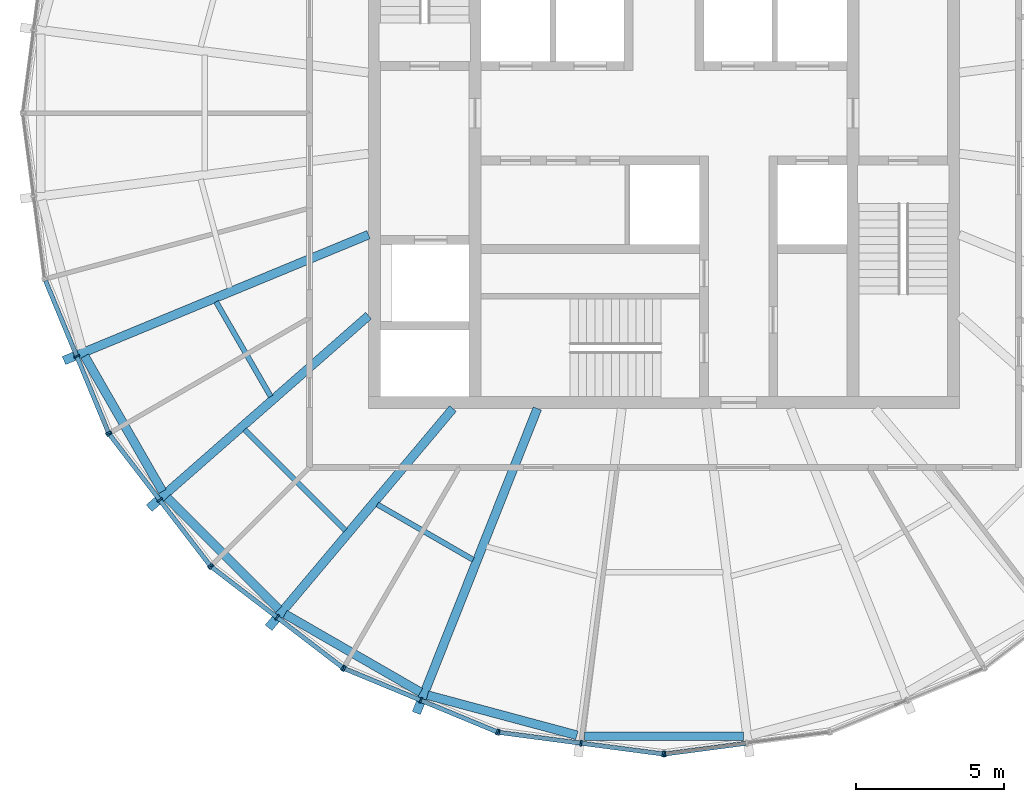
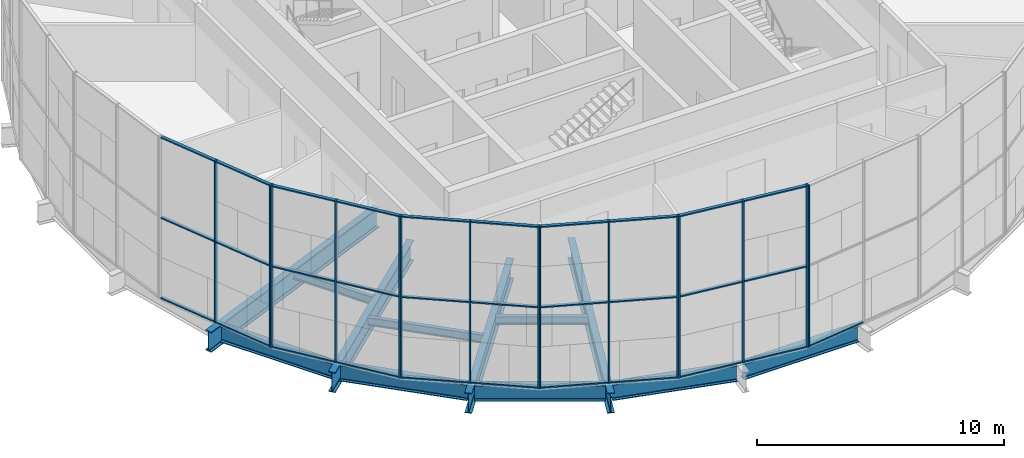
# One storey, part 1 of 18: 46 members, 12 beams, 6 elements without a shape of their own.
"""IFC4 building model written with IfcOpenShell, lengths in metres."""

from ifc_helpers import new_model, si_unit, direction, frame, origin, origin_2d, place, context, subcontext, project, spatial, rectangle, i_section, extrude, material, material_profile, profile_set, type_object, element, aggregate, save


model = new_model("IFC4")

# Units and contexts
model_context = context("Model", 3, precision=1e-05, world=origin(), true_north=direction((0.0, 1.0)))
body_context = subcontext(model_context, "Body", "Model", "MODEL_VIEW")
ifc_project = project(units=[si_unit("LENGTHUNIT", "METRE"), si_unit("AREAUNIT", "SQUARE_METRE"), si_unit("VOLUMEUNIT", "CUBIC_METRE"), si_unit("PLANEANGLEUNIT", "RADIAN"), si_unit("MASSUNIT", "GRAM", prefix="KILO")], contexts=[model_context])

# Site, building, storey
site_placement = place(None, origin())
site = spatial("IfcSite", under=ifc_project, at=site_placement, CompositionType="ELEMENT")
building_placement = place(site_placement, origin())
building = spatial("IfcBuilding", under=site, at=building_placement, Name="Golbaran Civic Tower", CompositionType="ELEMENT")
storey_placement = place(building_placement, frame((0.0, 0.0, 272.0)))
storey = spatial("IfcBuildingStorey", under=building, at=storey_placement, Name="L66", CompositionType="ELEMENT", Elevation=272.0)

# Beams
ifc_material_1 = material(Name="Steel S355", Category="steel")
ifc_material_profile_1 = material_profile(ifc_material_1, i_section(OverallWidth=0.300048828125, OverallDepth=0.800048828125, WebThickness=0.017578125, FlangeThickness=0.032958984375, FilletRadius=0.030029296875, at=origin_2d()), Name="HEB 800")
ifc_profile_set_1 = profile_set([ifc_material_profile_1], Name="Steel S355")
beam_type_1 = type_object("IfcBeamType", Name="EDGE BEAM HEB 800", PredefinedType="BEAM", material=ifc_profile_set_1)
beam_1_placement = place(storey_placement, frame((-19.61083984375, -8.226806640625, -0.60009765625), z_axis=(0.498381695671, -0.866957718358, 0.0), x_axis=(0.866957718358, 0.498381695671, 0.0)))
element("IfcBeam", 1, at=beam_1_placement, inside=storey, type_object=beam_type_1, Name="Edge beam 202.41 L66", PredefinedType="BEAM", context=body_context, shape_type="SweptSolid", body=[
    extrude(i_section(OverallWidth=0.300048828125, OverallDepth=0.800048828125, WebThickness=0.017578125, FlangeThickness=0.032958984375, FilletRadius=0.030029296875, at=origin_2d()), origin(), (0.0, 0.0, 1.0), 5.283203125),
])
beam_2_placement = place(storey_placement, frame((-16.819580078125, -13.01416015625, -0.60009765625), z_axis=(0.70669645465, -0.707516869753, 0.0), x_axis=(0.707516869753, 0.70669645465, 0.0)))
element("IfcBeam", 2, at=beam_2_placement, inside=storey, type_object=beam_type_1, Name="Edge beam 217.59 L66", PredefinedType="BEAM", context=body_context, shape_type="SweptSolid", body=[
    extrude(i_section(OverallWidth=0.300048828125, OverallDepth=0.800048828125, WebThickness=0.017578125, FlangeThickness=0.032958984375, FilletRadius=0.030029296875, at=origin_2d()), origin(), (0.0, 0.0, 1.0), 5.3564453125),
])
beam_3_placement = place(storey_placement, frame((-12.82763671875, -16.962158203125, -0.60009765625), z_axis=(0.866440450547, -0.499280427871, 0.0), x_axis=(0.499280427871, 0.866440450547, 0.0)))
element("IfcBeam", 3, at=beam_3_placement, inside=storey, type_object=beam_type_1, Name="Edge beam 232.41 L66", PredefinedType="BEAM", context=body_context, shape_type="SweptSolid", body=[
    extrude(i_section(OverallWidth=0.300048828125, OverallDepth=0.800048828125, WebThickness=0.017578125, FlangeThickness=0.032958984375, FilletRadius=0.030029296875, at=origin_2d()), origin(), (0.0, 0.0, 1.0), 5.292236328125),
])
beam_4_placement = place(storey_placement, frame((-8.001953125, -19.7041015625, -0.60009765625), z_axis=(0.965775895826, -0.259377946329, 0.0), x_axis=(0.259377946329, 0.965775895826, 0.0)))
element("IfcBeam", 4, at=beam_4_placement, inside=storey, type_object=beam_type_1, Name="Edge beam 247.59 L66", PredefinedType="BEAM", context=body_context, shape_type="SweptSolid", body=[
    extrude(i_section(OverallWidth=0.300048828125, OverallDepth=0.800048828125, WebThickness=0.017578125, FlangeThickness=0.032958984375, FilletRadius=0.030029296875, at=origin_2d()), origin(), (0.0, 0.0, 1.0), 5.234375),
])
beam_5_placement = place(storey_placement, frame((-2.68896484375, -21.095703125, -0.60009765625), z_axis=(1.0, 0.0, 0.0), x_axis=(0.0, 1.0, 0.0)))
element("IfcBeam", 5, at=beam_5_placement, inside=storey, type_object=beam_type_1, Name="Edge beam 262.41 L66", PredefinedType="BEAM", context=body_context, shape_type="SweptSolid", body=[
    extrude(i_section(OverallWidth=0.300048828125, OverallDepth=0.800048828125, WebThickness=0.017578125, FlangeThickness=0.032958984375, FilletRadius=0.030029296875, at=origin_2d()), origin(), (0.0, 0.0, 1.0), 5.3779296875),
])
ifc_material_profile_2 = material_profile(ifc_material_1, i_section(OverallWidth=0.179931640625, OverallDepth=0.39990234375, WebThickness=0.008544921875, FlangeThickness=0.013427734375, FilletRadius=0.02099609375, at=origin_2d()), Name="IPE 400")
ifc_profile_set_2 = profile_set([ifc_material_profile_2], Name="Steel S355")
beam_type_2 = type_object("IfcBeamType", Name="FLOOR INFILL BEAM IPE 400", PredefinedType="BEAM", material=ifc_profile_set_2)
beam_6_placement = place(storey_placement, frame((-15.16162109375, -6.38818359375, -0.39990234375), z_axis=(0.500015802937, -0.866016279763, 0.0), x_axis=(0.866016279763, 0.500015802937, 0.0)))
element("IfcBeam", 6, at=beam_6_placement, inside=storey, type_object=beam_type_2, Name="Infill beam 210.00 L66", PredefinedType="BEAM", context=body_context, shape_type="SweptSolid", body=[
    extrude(i_section(OverallWidth=0.179931640625, OverallDepth=0.39990234375, WebThickness=0.008544921875, FlangeThickness=0.013427734375, FilletRadius=0.02099609375, at=origin_2d()), origin(), (0.0, 0.0, 1.0), 3.6982421875),
])
beam_7_placement = place(storey_placement, frame((-14.201171875, -10.716796875, -0.39990234375), z_axis=(0.707081500738, -0.707132060731, 0.0), x_axis=(0.707132060731, 0.707081500738, 0.0)))
element("IfcBeam", 7, at=beam_7_placement, inside=storey, type_object=beam_type_2, Name="Infill beam 225.00 L66", PredefinedType="BEAM", context=body_context, shape_type="SweptSolid", body=[
    extrude(i_section(OverallWidth=0.179931640625, OverallDepth=0.39990234375, WebThickness=0.008544921875, FlangeThickness=0.013427734375, FilletRadius=0.02099609375, at=origin_2d()), origin(), (0.0, 0.0, 1.0), 4.82861328125),
])
beam_8_placement = place(storey_placement, frame((-9.70361328125, -13.2470703125, -0.39990234375), z_axis=(0.866016249639, -0.500015855109, 0.0), x_axis=(0.500015855109, 0.866016249639, 0.0)))
element("IfcBeam", 8, at=beam_8_placement, inside=storey, type_object=beam_type_2, Name="Infill beam 240.00 L66", PredefinedType="BEAM", context=body_context, shape_type="SweptSolid", body=[
    extrude(i_section(OverallWidth=0.179931640625, OverallDepth=0.39990234375, WebThickness=0.008544921875, FlangeThickness=0.013427734375, FilletRadius=0.02099609375, at=origin_2d()), origin(), (0.0, 0.0, 1.0), 3.74560546875),
])

# Curtain wall, members
ifc_material_2 = material(Name="Aluminium and glass", Category="aluminium")
curtain_wall_type = type_object("IfcCurtainWallType", Name="INNER SKIN CURTAIN WALL EXECUTIVE", PredefinedType="NOTDEFINED", material=ifc_material_2)
curtain_wall_1_placement = place(storey_placement, origin())
curtain_wall_1 = element("IfcCurtainWall", 9, at=curtain_wall_1_placement, inside=storey, type_object=curtain_wall_type, Name="Inner skin L66 facet 14 CW2", ObjectType="INNER SKIN", PredefinedType="USERDEFINED")
ifc_material_3 = material(Name="Aluminium", Category="aluminium")
ifc_material_profile_3 = material_profile(ifc_material_3, rectangle(XDim=0.199951171875, YDim=0.06005859375, at=origin_2d()), Name="INNER SKIN CURTAIN WALL EXECUTIVE MULLION")
ifc_profile_set_3 = profile_set([ifc_material_profile_3], Name="Aluminium")
member_type_1 = type_object("IfcMemberType", Name="INNER SKIN CURTAIN WALL EXECUTIVE MULLION", PredefinedType="MULLION", material=ifc_profile_set_3)
member_1_placement = place(storey_placement, frame((-19.875732421875, -8.23291015625, 0.0), z_axis=(0.0, 0.0, 1.0), x_axis=(0.923879532498, 0.382683432397, 0.0)))
member_1 = element("IfcMember", 10, at=member_1_placement, type_object=member_type_1, Name="CW2 mullion 2", PredefinedType="MULLION", context=body_context, shape_type="SweptSolid", body=[
    extrude(rectangle(XDim=0.199951171875, YDim=0.06005859375, at=origin_2d()), origin(), (0.0, 0.0, 1.0), 8.0),
])
member_2_placement = place(storey_placement, frame((-18.803466796875, -10.82177734375, 0.0), z_axis=(0.0, 0.0, 1.0), x_axis=(0.923879532498, 0.382683432397, 0.0)))
member_2 = element("IfcMember", 11, at=member_2_placement, type_object=member_type_1, Name="CW2 mullion 3", PredefinedType="MULLION", context=body_context, shape_type="SweptSolid", body=[
    extrude(rectangle(XDim=0.199951171875, YDim=0.06005859375, at=origin_2d()), origin(), (0.0, 0.0, 1.0), 8.0),
])

curtain_wall_2_placement = place(storey_placement, origin())
curtain_wall_2 = element("IfcCurtainWall", 12, at=curtain_wall_2_placement, inside=storey, type_object=curtain_wall_type, Name="Inner skin L66 facet 15 CW2", ObjectType="INNER SKIN", PredefinedType="USERDEFINED")
member_3_placement = place(storey_placement, frame((-18.773681640625, -10.873291015625, 0.0), z_axis=(0.0, 0.0, 1.0), x_axis=(0.79335334027, 0.608761429036, 0.0)))
member_3 = element("IfcMember", 13, at=member_3_placement, type_object=member_type_1, Name="CW2 mullion 1", PredefinedType="MULLION", context=body_context, shape_type="SweptSolid", body=[
    extrude(rectangle(XDim=0.199951171875, YDim=0.06005859375, at=origin_2d()), origin(), (0.0, 0.0, 1.0), 8.0),
])
member_4_placement = place(storey_placement, frame((-17.067626953125, -13.096435546875, 0.0), z_axis=(0.0, 0.0, 1.0), x_axis=(0.79335334027, 0.608761429036, 0.0)))
member_4 = element("IfcMember", 14, at=member_4_placement, type_object=member_type_1, Name="CW2 mullion 2", PredefinedType="MULLION", context=body_context, shape_type="SweptSolid", body=[
    extrude(rectangle(XDim=0.199951171875, YDim=0.06005859375, at=origin_2d()), origin(), (0.0, 0.0, 1.0), 8.0),
])
member_5_placement = place(storey_placement, frame((-15.36181640625, -15.31982421875, 0.0), z_axis=(0.0, 0.0, 1.0), x_axis=(0.79335334027, 0.608761429036, 0.0)))
member_5 = element("IfcMember", 15, at=member_5_placement, type_object=member_type_1, Name="CW2 mullion 3", PredefinedType="MULLION", context=body_context, shape_type="SweptSolid", body=[
    extrude(rectangle(XDim=0.199951171875, YDim=0.06005859375, at=origin_2d()), origin(), (0.0, 0.0, 1.0), 8.0),
])

curtain_wall_3_placement = place(storey_placement, origin())
curtain_wall_3 = element("IfcCurtainWall", 16, at=curtain_wall_3_placement, inside=storey, type_object=curtain_wall_type, Name="Inner skin L66 facet 16 CW2", ObjectType="INNER SKIN", PredefinedType="USERDEFINED")
member_6_placement = place(storey_placement, frame((-15.31982421875, -15.36181640625, 0.0), z_axis=(0.0, 0.0, 1.0), x_axis=(0.608761429036, 0.79335334027, 0.0)))
member_6 = element("IfcMember", 17, at=member_6_placement, type_object=member_type_1, Name="CW2 mullion 1", PredefinedType="MULLION", context=body_context, shape_type="SweptSolid", body=[
    extrude(rectangle(XDim=0.199951171875, YDim=0.06005859375, at=origin_2d()), origin(), (0.0, 0.0, 1.0), 8.0),
])
member_7_placement = place(storey_placement, frame((-13.096435546875, -17.067626953125, 0.0), z_axis=(0.0, 0.0, 1.0), x_axis=(0.608761429036, 0.79335334027, 0.0)))
member_7 = element("IfcMember", 18, at=member_7_placement, type_object=member_type_1, Name="CW2 mullion 2", PredefinedType="MULLION", context=body_context, shape_type="SweptSolid", body=[
    extrude(rectangle(XDim=0.199951171875, YDim=0.06005859375, at=origin_2d()), origin(), (0.0, 0.0, 1.0), 8.0),
])
member_8_placement = place(storey_placement, frame((-10.873291015625, -18.773681640625, 0.0), z_axis=(0.0, 0.0, 1.0), x_axis=(0.608761429036, 0.79335334027, 0.0)))
member_8 = element("IfcMember", 19, at=member_8_placement, type_object=member_type_1, Name="CW2 mullion 3", PredefinedType="MULLION", context=body_context, shape_type="SweptSolid", body=[
    extrude(rectangle(XDim=0.199951171875, YDim=0.06005859375, at=origin_2d()), origin(), (0.0, 0.0, 1.0), 8.0),
])

curtain_wall_4_placement = place(storey_placement, origin())
curtain_wall_4 = element("IfcCurtainWall", 20, at=curtain_wall_4_placement, inside=storey, type_object=curtain_wall_type, Name="Inner skin L66 facet 17 CW2", ObjectType="INNER SKIN", PredefinedType="USERDEFINED")
member_9_placement = place(storey_placement, frame((-10.82177734375, -18.803466796875, 0.0), z_axis=(0.0, 0.0, 1.0), x_axis=(0.382683432397, 0.923879532498, 0.0)))
member_9 = element("IfcMember", 21, at=member_9_placement, type_object=member_type_1, Name="CW2 mullion 1", PredefinedType="MULLION", context=body_context, shape_type="SweptSolid", body=[
    extrude(rectangle(XDim=0.199951171875, YDim=0.06005859375, at=origin_2d()), origin(), (0.0, 0.0, 1.0), 8.0),
])
member_10_placement = place(storey_placement, frame((-8.23291015625, -19.875732421875, 0.0), z_axis=(0.0, 0.0, 1.0), x_axis=(0.382683432397, 0.923879532498, 0.0)))
member_10 = element("IfcMember", 22, at=member_10_placement, type_object=member_type_1, Name="CW2 mullion 2", PredefinedType="MULLION", context=body_context, shape_type="SweptSolid", body=[
    extrude(rectangle(XDim=0.199951171875, YDim=0.06005859375, at=origin_2d()), origin(), (0.0, 0.0, 1.0), 8.0),
])
member_11_placement = place(storey_placement, frame((-5.643798828125, -20.9482421875, 0.0), z_axis=(0.0, 0.0, 1.0), x_axis=(0.382683432397, 0.923879532498, 0.0)))
member_11 = element("IfcMember", 23, at=member_11_placement, type_object=member_type_1, Name="CW2 mullion 3", PredefinedType="MULLION", context=body_context, shape_type="SweptSolid", body=[
    extrude(rectangle(XDim=0.199951171875, YDim=0.06005859375, at=origin_2d()), origin(), (0.0, 0.0, 1.0), 8.0),
])

curtain_wall_5_placement = place(storey_placement, origin())
curtain_wall_5 = element("IfcCurtainWall", 24, at=curtain_wall_5_placement, inside=storey, type_object=curtain_wall_type, Name="Inner skin L66 facet 18 CW2", ObjectType="INNER SKIN", PredefinedType="USERDEFINED")
member_12_placement = place(storey_placement, frame((-5.58642578125, -20.963623046875, 0.0), z_axis=(0.0, 0.0, 1.0), x_axis=(0.130526192151, 0.991444861383, 0.0)))
member_12 = element("IfcMember", 25, at=member_12_placement, type_object=member_type_1, Name="CW2 mullion 1", PredefinedType="MULLION", context=body_context, shape_type="SweptSolid", body=[
    extrude(rectangle(XDim=0.199951171875, YDim=0.06005859375, at=origin_2d()), origin(), (0.0, 0.0, 1.0), 8.0),
])
member_13_placement = place(storey_placement, frame((-2.80810546875, -21.329345703125, 0.0), z_axis=(0.0, 0.0, 1.0), x_axis=(0.130526192151, 0.991444861383, 0.0)))
member_13 = element("IfcMember", 26, at=member_13_placement, type_object=member_type_1, Name="CW2 mullion 2", PredefinedType="MULLION", context=body_context, shape_type="SweptSolid", body=[
    extrude(rectangle(XDim=0.199951171875, YDim=0.06005859375, at=origin_2d()), origin(), (0.0, 0.0, 1.0), 8.0),
])
member_14_placement = place(storey_placement, frame((-0.02978515625, -21.695068359375, 0.0), z_axis=(0.0, 0.0, 1.0), x_axis=(0.130526192151, 0.991444861383, 0.0)))
member_14 = element("IfcMember", 27, at=member_14_placement, type_object=member_type_1, Name="CW2 mullion 3", PredefinedType="MULLION", context=body_context, shape_type="SweptSolid", body=[
    extrude(rectangle(XDim=0.199951171875, YDim=0.06005859375, at=origin_2d()), origin(), (0.0, 0.0, 1.0), 8.0),
])

# Curtain wall, member
curtain_wall_6_placement = place(storey_placement, origin())
curtain_wall_6 = element("IfcCurtainWall", 28, at=curtain_wall_6_placement, inside=storey, type_object=curtain_wall_type, Name="Inner skin L66 facet 19 CW2", ObjectType="INNER SKIN", PredefinedType="USERDEFINED")
member_15_placement = place(storey_placement, frame((0.02978515625, -21.695068359375, 0.0), z_axis=(0.0, 0.0, 1.0), x_axis=(-0.130526192151, 0.991444861383, 0.0)))
member_15 = element("IfcMember", 29, at=member_15_placement, type_object=member_type_1, Name="CW2 mullion 1", PredefinedType="MULLION", context=body_context, shape_type="SweptSolid", body=[
    extrude(rectangle(XDim=0.199951171875, YDim=0.06005859375, at=origin_2d()), origin(), (0.0, 0.0, 1.0), 8.0),
])

# Member
ifc_material_profile_4 = material_profile(ifc_material_3, rectangle(XDim=0.14990234375, YDim=0.06005859375, at=origin_2d()), Name="INNER SKIN CURTAIN WALL EXECUTIVE TRANSOM")
ifc_profile_set_4 = profile_set([ifc_material_profile_4], Name="Aluminium")
member_type_2 = type_object("IfcMemberType", Name="INNER SKIN CURTAIN WALL EXECUTIVE TRANSOM", PredefinedType="USERDEFINED", material=ifc_profile_set_4)
member_16_placement = place(storey_placement, frame((-20.936767578125, -5.671630859375, 0.030029296875), z_axis=(0.382737071174, -0.923857312765, 0.0), x_axis=(0.923857312765, 0.382737071174, 0.0)))
member_16 = element("IfcMember", 30, at=member_16_placement, type_object=member_type_2, Name="CW2 transom 1.1", ObjectType="TRANSOM", PredefinedType="USERDEFINED", context=body_context, shape_type="SweptSolid", body=[
    extrude(rectangle(XDim=0.14990234375, YDim=0.06005859375, at=origin_2d()), origin(), (0.0, 0.0, 1.0), 2.7421875),
])

member_17_placement = place(storey_placement, frame((-20.936767578125, -5.671630859375, 4.0), z_axis=(0.382737071174, -0.923857312765, 0.0), x_axis=(0.923857312765, 0.382737071174, 0.0)))
member_17 = element("IfcMember", 31, at=member_17_placement, type_object=member_type_2, Name="CW2 transom 1.2", ObjectType="TRANSOM", PredefinedType="USERDEFINED", context=body_context, shape_type="SweptSolid", body=[
    extrude(rectangle(XDim=0.14990234375, YDim=0.06005859375, at=origin_2d()), origin(), (0.0, 0.0, 1.0), 2.7421875),
])

member_18_placement = place(storey_placement, frame((-20.936767578125, -5.671630859375, 7.969970703125), z_axis=(0.382737071174, -0.923857312765, 0.0), x_axis=(0.923857312765, 0.382737071174, 0.0)))
member_18 = element("IfcMember", 32, at=member_18_placement, type_object=member_type_2, Name="CW2 transom 1.3", ObjectType="TRANSOM", PredefinedType="USERDEFINED", context=body_context, shape_type="SweptSolid", body=[
    extrude(rectangle(XDim=0.14990234375, YDim=0.06005859375, at=origin_2d()), origin(), (0.0, 0.0, 1.0), 2.7421875),
])

member_19_placement = place(storey_placement, frame((-19.8642578125, -8.260498046875, 0.030029296875), z_axis=(0.382661079663, -0.923888790987, 0.0), x_axis=(0.923888790987, 0.382661079663, 0.0)))
member_19 = element("IfcMember", 33, at=member_19_placement, type_object=member_type_2, Name="CW2 transom 2.1", ObjectType="TRANSOM", PredefinedType="USERDEFINED", context=body_context, shape_type="SweptSolid", body=[
    extrude(rectangle(XDim=0.14990234375, YDim=0.06005859375, at=origin_2d()), origin(), (0.0, 0.0, 1.0), 2.7421875),
])

member_20_placement = place(storey_placement, frame((-19.8642578125, -8.260498046875, 4.0), z_axis=(0.382661079663, -0.923888790987, 0.0), x_axis=(0.923888790987, 0.382661079663, 0.0)))
member_20 = element("IfcMember", 34, at=member_20_placement, type_object=member_type_2, Name="CW2 transom 2.2", ObjectType="TRANSOM", PredefinedType="USERDEFINED", context=body_context, shape_type="SweptSolid", body=[
    extrude(rectangle(XDim=0.14990234375, YDim=0.06005859375, at=origin_2d()), origin(), (0.0, 0.0, 1.0), 2.7421875),
])

member_21_placement = place(storey_placement, frame((-19.8642578125, -8.260498046875, 7.969970703125), z_axis=(0.382661079663, -0.923888790987, 0.0), x_axis=(0.923888790987, 0.382661079663, 0.0)))
member_21 = element("IfcMember", 35, at=member_21_placement, type_object=member_type_2, Name="CW2 transom 2.3", ObjectType="TRANSOM", PredefinedType="USERDEFINED", context=body_context, shape_type="SweptSolid", body=[
    extrude(rectangle(XDim=0.14990234375, YDim=0.06005859375, at=origin_2d()), origin(), (0.0, 0.0, 1.0), 2.7421875),
])

aggregate(curtain_wall_1, [member_1, member_2, member_16, member_17, member_18, member_19, member_20, member_21])

member_22_placement = place(storey_placement, frame((-18.75537109375, -10.897216796875, 0.030029296875), z_axis=(0.60878099708, -0.793338324799, 0.0), x_axis=(0.793338324799, 0.60878099708, 0.0)))
member_22 = element("IfcMember", 36, at=member_22_placement, type_object=member_type_2, Name="CW2 transom 1.1", ObjectType="TRANSOM", PredefinedType="USERDEFINED", context=body_context, shape_type="SweptSolid", body=[
    extrude(rectangle(XDim=0.14990234375, YDim=0.06005859375, at=origin_2d()), origin(), (0.0, 0.0, 1.0), 2.7421875),
])

member_23_placement = place(storey_placement, frame((-18.75537109375, -10.897216796875, 4.0), z_axis=(0.60878099708, -0.793338324799, 0.0), x_axis=(0.793338324799, 0.60878099708, 0.0)))
member_23 = element("IfcMember", 37, at=member_23_placement, type_object=member_type_2, Name="CW2 transom 1.2", ObjectType="TRANSOM", PredefinedType="USERDEFINED", context=body_context, shape_type="SweptSolid", body=[
    extrude(rectangle(XDim=0.14990234375, YDim=0.06005859375, at=origin_2d()), origin(), (0.0, 0.0, 1.0), 2.7421875),
])

member_24_placement = place(storey_placement, frame((-18.75537109375, -10.897216796875, 7.969970703125), z_axis=(0.60878099708, -0.793338324799, 0.0), x_axis=(0.793338324799, 0.60878099708, 0.0)))
member_24 = element("IfcMember", 38, at=member_24_placement, type_object=member_type_2, Name="CW2 transom 1.3", ObjectType="TRANSOM", PredefinedType="USERDEFINED", context=body_context, shape_type="SweptSolid", body=[
    extrude(rectangle(XDim=0.14990234375, YDim=0.06005859375, at=origin_2d()), origin(), (0.0, 0.0, 1.0), 2.7421875),
])

member_25_placement = place(storey_placement, frame((-17.04931640625, -13.120361328125, 0.030029296875), z_axis=(0.608724958881, -0.793381323473, 0.0), x_axis=(0.793381323473, 0.608724958881, 0.0)))
member_25 = element("IfcMember", 39, at=member_25_placement, type_object=member_type_2, Name="CW2 transom 2.1", ObjectType="TRANSOM", PredefinedType="USERDEFINED", context=body_context, shape_type="SweptSolid", body=[
    extrude(rectangle(XDim=0.14990234375, YDim=0.06005859375, at=origin_2d()), origin(), (0.0, 0.0, 1.0), 2.7421875),
])

member_26_placement = place(storey_placement, frame((-17.04931640625, -13.120361328125, 4.0), z_axis=(0.608724958881, -0.793381323473, 0.0), x_axis=(0.793381323473, 0.608724958881, 0.0)))
member_26 = element("IfcMember", 40, at=member_26_placement, type_object=member_type_2, Name="CW2 transom 2.2", ObjectType="TRANSOM", PredefinedType="USERDEFINED", context=body_context, shape_type="SweptSolid", body=[
    extrude(rectangle(XDim=0.14990234375, YDim=0.06005859375, at=origin_2d()), origin(), (0.0, 0.0, 1.0), 2.7421875),
])

member_27_placement = place(storey_placement, frame((-17.04931640625, -13.120361328125, 7.969970703125), z_axis=(0.608724958881, -0.793381323473, 0.0), x_axis=(0.793381323473, 0.608724958881, 0.0)))
member_27 = element("IfcMember", 41, at=member_27_placement, type_object=member_type_2, Name="CW2 transom 2.3", ObjectType="TRANSOM", PredefinedType="USERDEFINED", context=body_context, shape_type="SweptSolid", body=[
    extrude(rectangle(XDim=0.14990234375, YDim=0.06005859375, at=origin_2d()), origin(), (0.0, 0.0, 1.0), 2.7421875),
])

aggregate(curtain_wall_2, [member_3, member_4, member_5, member_22, member_23, member_24, member_25, member_26, member_27])

member_28_placement = place(storey_placement, frame((-15.2958984375, -15.380126953125, 0.030029296875), z_axis=(0.793381323473, -0.608724958881, 0.0), x_axis=(0.608724958881, 0.793381323473, 0.0)))
member_28 = element("IfcMember", 42, at=member_28_placement, type_object=member_type_2, Name="CW2 transom 1.1", ObjectType="TRANSOM", PredefinedType="USERDEFINED", context=body_context, shape_type="SweptSolid", body=[
    extrude(rectangle(XDim=0.14990234375, YDim=0.06005859375, at=origin_2d()), origin(), (0.0, 0.0, 1.0), 2.7421875),
])

member_29_placement = place(storey_placement, frame((-15.2958984375, -15.380126953125, 4.0), z_axis=(0.793381323473, -0.608724958881, 0.0), x_axis=(0.608724958881, 0.793381323473, 0.0)))
member_29 = element("IfcMember", 43, at=member_29_placement, type_object=member_type_2, Name="CW2 transom 1.2", ObjectType="TRANSOM", PredefinedType="USERDEFINED", context=body_context, shape_type="SweptSolid", body=[
    extrude(rectangle(XDim=0.14990234375, YDim=0.06005859375, at=origin_2d()), origin(), (0.0, 0.0, 1.0), 2.7421875),
])

member_30_placement = place(storey_placement, frame((-15.2958984375, -15.380126953125, 7.969970703125), z_axis=(0.793381323473, -0.608724958881, 0.0), x_axis=(0.608724958881, 0.793381323473, 0.0)))
member_30 = element("IfcMember", 44, at=member_30_placement, type_object=member_type_2, Name="CW2 transom 1.3", ObjectType="TRANSOM", PredefinedType="USERDEFINED", context=body_context, shape_type="SweptSolid", body=[
    extrude(rectangle(XDim=0.14990234375, YDim=0.06005859375, at=origin_2d()), origin(), (0.0, 0.0, 1.0), 2.7421875),
])

member_31_placement = place(storey_placement, frame((-13.07275390625, -17.0859375, 0.030029296875), z_axis=(0.793338324799, -0.60878099708, 0.0), x_axis=(0.60878099708, 0.793338324799, 0.0)))
member_31 = element("IfcMember", 45, at=member_31_placement, type_object=member_type_2, Name="CW2 transom 2.1", ObjectType="TRANSOM", PredefinedType="USERDEFINED", context=body_context, shape_type="SweptSolid", body=[
    extrude(rectangle(XDim=0.14990234375, YDim=0.06005859375, at=origin_2d()), origin(), (0.0, 0.0, 1.0), 2.7421875),
])

member_32_placement = place(storey_placement, frame((-13.07275390625, -17.0859375, 4.0), z_axis=(0.793338324799, -0.60878099708, 0.0), x_axis=(0.60878099708, 0.793338324799, 0.0)))
member_32 = element("IfcMember", 46, at=member_32_placement, type_object=member_type_2, Name="CW2 transom 2.2", ObjectType="TRANSOM", PredefinedType="USERDEFINED", context=body_context, shape_type="SweptSolid", body=[
    extrude(rectangle(XDim=0.14990234375, YDim=0.06005859375, at=origin_2d()), origin(), (0.0, 0.0, 1.0), 2.7421875),
])

member_33_placement = place(storey_placement, frame((-13.07275390625, -17.0859375, 7.969970703125), z_axis=(0.793338324799, -0.60878099708, 0.0), x_axis=(0.60878099708, 0.793338324799, 0.0)))
member_33 = element("IfcMember", 47, at=member_33_placement, type_object=member_type_2, Name="CW2 transom 2.3", ObjectType="TRANSOM", PredefinedType="USERDEFINED", context=body_context, shape_type="SweptSolid", body=[
    extrude(rectangle(XDim=0.14990234375, YDim=0.06005859375, at=origin_2d()), origin(), (0.0, 0.0, 1.0), 2.7421875),
])

aggregate(curtain_wall_3, [member_6, member_7, member_8, member_28, member_29, member_30, member_31, member_32, member_33])

member_34_placement = place(storey_placement, frame((-10.7939453125, -18.81494140625, 0.030029296875), z_axis=(0.923888790987, -0.382661079663, 0.0), x_axis=(0.382661079663, 0.923888790987, 0.0)))
member_34 = element("IfcMember", 48, at=member_34_placement, type_object=member_type_2, Name="CW2 transom 1.1", ObjectType="TRANSOM", PredefinedType="USERDEFINED", context=body_context, shape_type="SweptSolid", body=[
    extrude(rectangle(XDim=0.14990234375, YDim=0.06005859375, at=origin_2d()), origin(), (0.0, 0.0, 1.0), 2.7421875),
])

member_35_placement = place(storey_placement, frame((-10.7939453125, -18.81494140625, 4.0), z_axis=(0.923888790987, -0.382661079663, 0.0), x_axis=(0.382661079663, 0.923888790987, 0.0)))
member_35 = element("IfcMember", 49, at=member_35_placement, type_object=member_type_2, Name="CW2 transom 1.2", ObjectType="TRANSOM", PredefinedType="USERDEFINED", context=body_context, shape_type="SweptSolid", body=[
    extrude(rectangle(XDim=0.14990234375, YDim=0.06005859375, at=origin_2d()), origin(), (0.0, 0.0, 1.0), 2.7421875),
])

member_36_placement = place(storey_placement, frame((-10.7939453125, -18.81494140625, 7.969970703125), z_axis=(0.923888790987, -0.382661079663, 0.0), x_axis=(0.382661079663, 0.923888790987, 0.0)))
member_36 = element("IfcMember", 50, at=member_36_placement, type_object=member_type_2, Name="CW2 transom 1.3", ObjectType="TRANSOM", PredefinedType="USERDEFINED", context=body_context, shape_type="SweptSolid", body=[
    extrude(rectangle(XDim=0.14990234375, YDim=0.06005859375, at=origin_2d()), origin(), (0.0, 0.0, 1.0), 2.7421875),
])

member_37_placement = place(storey_placement, frame((-8.205078125, -19.88720703125, 0.030029296875), z_axis=(0.923857312765, -0.382737071174, 0.0), x_axis=(0.382737071174, 0.923857312765, 0.0)))
member_37 = element("IfcMember", 51, at=member_37_placement, type_object=member_type_2, Name="CW2 transom 2.1", ObjectType="TRANSOM", PredefinedType="USERDEFINED", context=body_context, shape_type="SweptSolid", body=[
    extrude(rectangle(XDim=0.14990234375, YDim=0.06005859375, at=origin_2d()), origin(), (0.0, 0.0, 1.0), 2.7421875),
])

member_38_placement = place(storey_placement, frame((-8.205078125, -19.88720703125, 4.0), z_axis=(0.923857312765, -0.382737071174, 0.0), x_axis=(0.382737071174, 0.923857312765, 0.0)))
member_38 = element("IfcMember", 52, at=member_38_placement, type_object=member_type_2, Name="CW2 transom 2.2", ObjectType="TRANSOM", PredefinedType="USERDEFINED", context=body_context, shape_type="SweptSolid", body=[
    extrude(rectangle(XDim=0.14990234375, YDim=0.06005859375, at=origin_2d()), origin(), (0.0, 0.0, 1.0), 2.7421875),
])

member_39_placement = place(storey_placement, frame((-8.205078125, -19.88720703125, 7.969970703125), z_axis=(0.923857312765, -0.382737071174, 0.0), x_axis=(0.382737071174, 0.923857312765, 0.0)))
member_39 = element("IfcMember", 53, at=member_39_placement, type_object=member_type_2, Name="CW2 transom 2.3", ObjectType="TRANSOM", PredefinedType="USERDEFINED", context=body_context, shape_type="SweptSolid", body=[
    extrude(rectangle(XDim=0.14990234375, YDim=0.06005859375, at=origin_2d()), origin(), (0.0, 0.0, 1.0), 2.7421875),
])

aggregate(curtain_wall_4, [member_9, member_10, member_11, member_34, member_35, member_36, member_37, member_38, member_39])

member_40_placement = place(storey_placement, frame((-5.556640625, -20.967529296875, 0.030029296875), z_axis=(0.99144580856, -0.130518997427, 0.0), x_axis=(0.130518997427, 0.99144580856, 0.0)))
member_40 = element("IfcMember", 54, at=member_40_placement, type_object=member_type_2, Name="CW2 transom 1.1", ObjectType="TRANSOM", PredefinedType="USERDEFINED", context=body_context, shape_type="SweptSolid", body=[
    extrude(rectangle(XDim=0.14990234375, YDim=0.06005859375, at=origin_2d()), origin(), (0.0, 0.0, 1.0), 2.7421875),
])

member_41_placement = place(storey_placement, frame((-5.556640625, -20.967529296875, 4.0), z_axis=(0.99144580856, -0.130518997427, 0.0), x_axis=(0.130518997427, 0.99144580856, 0.0)))
member_41 = element("IfcMember", 55, at=member_41_placement, type_object=member_type_2, Name="CW2 transom 1.2", ObjectType="TRANSOM", PredefinedType="USERDEFINED", context=body_context, shape_type="SweptSolid", body=[
    extrude(rectangle(XDim=0.14990234375, YDim=0.06005859375, at=origin_2d()), origin(), (0.0, 0.0, 1.0), 2.7421875),
])

member_42_placement = place(storey_placement, frame((-5.556640625, -20.967529296875, 7.969970703125), z_axis=(0.99144580856, -0.130518997427, 0.0), x_axis=(0.130518997427, 0.99144580856, 0.0)))
member_42 = element("IfcMember", 56, at=member_42_placement, type_object=member_type_2, Name="CW2 transom 1.3", ObjectType="TRANSOM", PredefinedType="USERDEFINED", context=body_context, shape_type="SweptSolid", body=[
    extrude(rectangle(XDim=0.14990234375, YDim=0.06005859375, at=origin_2d()), origin(), (0.0, 0.0, 1.0), 2.7421875),
])

member_43_placement = place(storey_placement, frame((-2.7783203125, -21.333251953125, 0.030029296875), z_axis=(0.99144580856, -0.130518997427, 0.0), x_axis=(0.130518997427, 0.99144580856, 0.0)))
member_43 = element("IfcMember", 57, at=member_43_placement, type_object=member_type_2, Name="CW2 transom 2.1", ObjectType="TRANSOM", PredefinedType="USERDEFINED", context=body_context, shape_type="SweptSolid", body=[
    extrude(rectangle(XDim=0.14990234375, YDim=0.06005859375, at=origin_2d()), origin(), (0.0, 0.0, 1.0), 2.7421875),
])

member_44_placement = place(storey_placement, frame((-2.7783203125, -21.333251953125, 4.0), z_axis=(0.99144580856, -0.130518997427, 0.0), x_axis=(0.130518997427, 0.99144580856, 0.0)))
member_44 = element("IfcMember", 58, at=member_44_placement, type_object=member_type_2, Name="CW2 transom 2.2", ObjectType="TRANSOM", PredefinedType="USERDEFINED", context=body_context, shape_type="SweptSolid", body=[
    extrude(rectangle(XDim=0.14990234375, YDim=0.06005859375, at=origin_2d()), origin(), (0.0, 0.0, 1.0), 2.7421875),
])

member_45_placement = place(storey_placement, frame((-2.7783203125, -21.333251953125, 7.969970703125), z_axis=(0.99144580856, -0.130518997427, 0.0), x_axis=(0.130518997427, 0.99144580856, 0.0)))
member_45 = element("IfcMember", 59, at=member_45_placement, type_object=member_type_2, Name="CW2 transom 2.3", ObjectType="TRANSOM", PredefinedType="USERDEFINED", context=body_context, shape_type="SweptSolid", body=[
    extrude(rectangle(XDim=0.14990234375, YDim=0.06005859375, at=origin_2d()), origin(), (0.0, 0.0, 1.0), 2.7421875),
])

aggregate(curtain_wall_5, [member_12, member_13, member_14, member_40, member_41, member_42, member_43, member_44, member_45])

member_46_placement = place(storey_placement, frame((0.0595703125, -21.691162109375, 0.030029296875), z_axis=(0.99144580856, 0.130518997427, 0.0), x_axis=(-0.130518997427, 0.99144580856, 0.0)))
member_46 = element("IfcMember", 60, at=member_46_placement, type_object=member_type_2, Name="CW2 transom 1.1", ObjectType="TRANSOM", PredefinedType="USERDEFINED", context=body_context, shape_type="SweptSolid", body=[
    extrude(rectangle(XDim=0.14990234375, YDim=0.06005859375, at=origin_2d()), origin(), (0.0, 0.0, 1.0), 2.7421875),
])

aggregate(curtain_wall_6, [member_15, member_46])

# Beams
ifc_material_profile_5 = material_profile(ifc_material_1, i_section(OverallWidth=0.300048828125, OverallDepth=1.0, WebThickness=0.01904296875, FlangeThickness=0.035888671875, FilletRadius=0.030029296875, at=origin_2d()), Name="HEB 1000")
ifc_profile_set_5 = profile_set([ifc_material_profile_5], Name="Steel S355")
beam_type_3 = type_object("IfcBeamType", Name="RADIAL FLOOR BEAM HEB 1000", PredefinedType="BEAM", material=ifc_profile_set_5)
beam_9_placement = place(storey_placement, frame((-10.0, -4.1142578125, -0.7099609375), z_axis=(-0.924184384118, -0.381946624744, 0.0), x_axis=(0.381946624744, -0.924184384118, 0.0)))
element("IfcBeam", 61, at=beam_9_placement, inside=storey, type_object=beam_type_3, Name="Radial beam 202.41 L66", PredefinedType="BEAM", context=body_context, shape_type="SweptSolid", body=[
    extrude(i_section(OverallWidth=0.300048828125, OverallDepth=1.0, WebThickness=0.01904296875, FlangeThickness=0.035888671875, FilletRadius=0.030029296875, at=origin_2d()), origin(), (0.0, 0.0, 1.0), 11.159912109375),
])
beam_10_placement = place(storey_placement, frame((-10.0, -6.857177734375, -0.7099609375), z_axis=(-0.751650181084, -0.659561979859, 0.0), x_axis=(0.659561979859, -0.751650181084, 0.0)))
element("IfcBeam", 62, at=beam_10_placement, inside=storey, type_object=beam_type_3, Name="Radial beam 217.59 L66", PredefinedType="BEAM", context=body_context, shape_type="SweptSolid", body=[
    extrude(i_section(OverallWidth=0.300048828125, OverallDepth=1.0, WebThickness=0.01904296875, FlangeThickness=0.035888671875, FilletRadius=0.030029296875, at=origin_2d()), origin(), (0.0, 0.0, 1.0), 9.883544921875),
])
beam_11_placement = place(storey_placement, frame((-7.142822265625, -10.0, -0.7099609375), z_axis=(-0.643602281721, -0.765360113256, 0.0), x_axis=(0.765360113256, -0.643602281721, 0.0)))
element("IfcBeam", 63, at=beam_11_placement, inside=storey, type_object=beam_type_3, Name="Radial beam 232.41 L66", PredefinedType="BEAM", context=body_context, shape_type="SweptSolid", body=[
    extrude(i_section(OverallWidth=0.300048828125, OverallDepth=1.0, WebThickness=0.01904296875, FlangeThickness=0.035888671875, FilletRadius=0.030029296875, at=origin_2d()), origin(), (0.0, 0.0, 1.0), 9.69873046875),
])
beam_12_placement = place(storey_placement, frame((-4.28564453125, -10.0, -0.7099609375), z_axis=(-0.369287868071, -0.929315054487, 0.0), x_axis=(0.929315054487, -0.369287868071, 0.0)))
element("IfcBeam", 64, at=beam_12_placement, inside=storey, type_object=beam_type_3, Name="Radial beam 247.59 L66", PredefinedType="BEAM", context=body_context, shape_type="SweptSolid", body=[
    extrude(i_section(OverallWidth=0.300048828125, OverallDepth=1.0, WebThickness=0.01904296875, FlangeThickness=0.035888671875, FilletRadius=0.030029296875, at=origin_2d()), origin(), (0.0, 0.0, 1.0), 11.0947265625),
])

save(model, "model.ifc")
